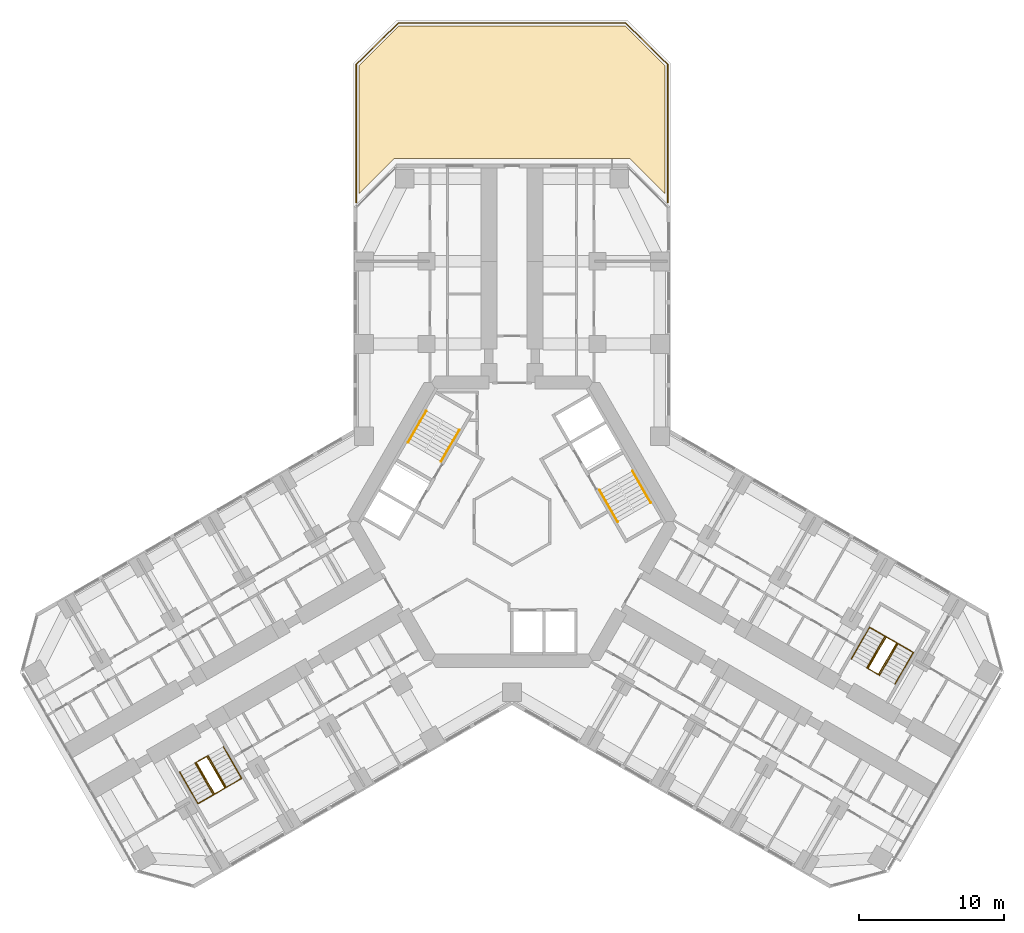
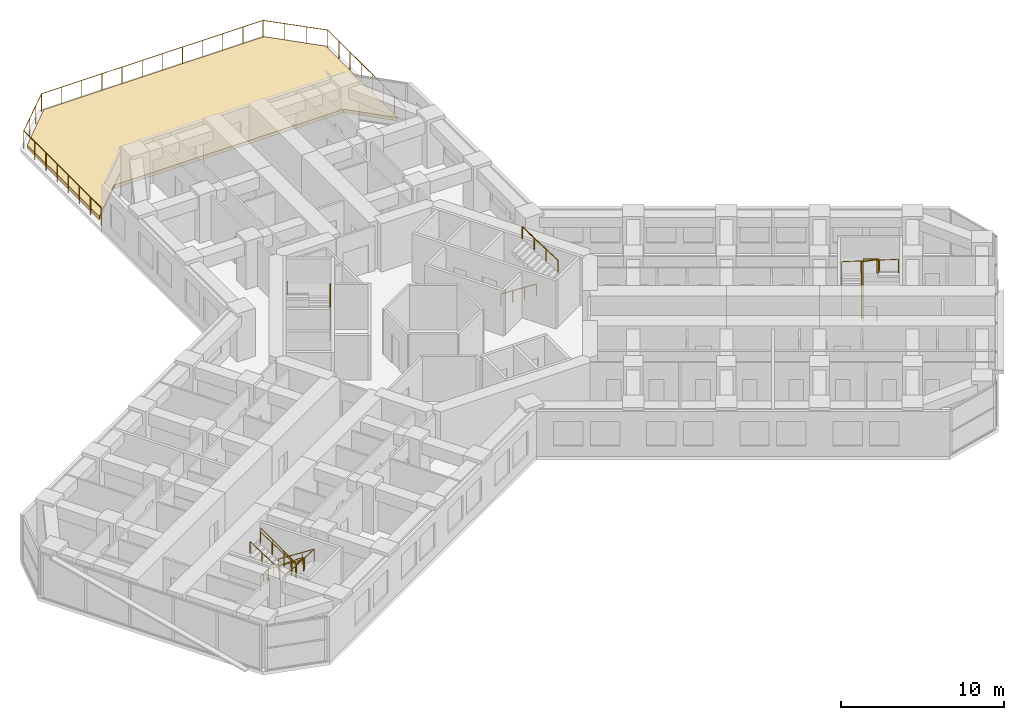
# One storey, part 19 of 19: 11 railings, 1 covering.
"""IFC4 building model written with IfcOpenShell, lengths in metres."""

import ifcopenshell
import ifcopenshell.guid

model = None  # the IFC model being written
_history = None  # IfcOwnerHistory: only IFC2X3 demands one
_inside = {}  # id of a spatial element -> (the spatial element, [elements in it])
_under = {}  # id of a project, library or spatial element -> (it, [spatial elements below it])
_declared = {}  # id of a project -> (the project, [libraries it declares])
_typed = {}  # id of a type object -> (the type object, [elements of that type])
_made_of = {}  # id of a material, layer set ... -> (it, [elements and type objects made of it])


def new_model(schema):
    """Start an empty IFC model of exactly this schema.

    Asked for "IFC4X3", IfcOpenShell would pick the latest addendum, in which some entities
    have other attributes; the version numbers below select the first issue.
    IFC2X3 requires an IfcOwnerHistory on every rooted entity: one is made here for all.
    """
    global model, _history
    if schema == "IFC4X3":
        model = ifcopenshell.file(schema_version=(4, 3, 0, 0))
    else:
        model = ifcopenshell.file(schema=schema)
    _inside.clear()
    _under.clear()
    _declared.clear()
    _typed.clear()
    _made_of.clear()
    _history = None
    if model.schema == "IFC2X3":
        org = make("IfcOrganization", Name="unknown")
        user = make(
            "IfcPersonAndOrganization",
            ThePerson=make("IfcPerson", FamilyName="unknown"),
            TheOrganization=org,
        )
        app = make(
            "IfcApplication",
            ApplicationDeveloper=org,
            Version="unknown",
            ApplicationFullName="unknown",
            ApplicationIdentifier="unknown",
        )
        _history = make(
            "IfcOwnerHistory",
            OwningUser=user,
            OwningApplication=app,
            ChangeAction="ADDED",
            CreationDate=0,
        )
    return model


def make(cls, **values):
    """One entity of the class cls with the attributes given. An attribute that is None is left unset."""
    return model.create_entity(
        cls, **{name: value for name, value in values.items() if value is not None}
    )


def rooted(cls, **values):
    """An entity with a GlobalId (a new one), such as an element, a storey or a relation."""
    return make(cls, GlobalId=ifcopenshell.guid.new(), OwnerHistory=_history, **values)


def si_unit(unit_type, name, prefix=None):
    """IfcSIUnit, for example si_unit("LENGTHUNIT", "METRE", prefix="MILLI")."""
    return make("IfcSIUnit", UnitType=unit_type, Prefix=prefix, Name=name)


def assignment(units):
    """IfcUnitAssignment: the units of a project."""
    return None if units is None else make("IfcUnitAssignment", Units=units)


def point(xyz):
    """IfcCartesianPoint."""
    return None if xyz is None else make("IfcCartesianPoint", Coordinates=xyz)


def direction(xyz):
    """IfcDirection."""
    return None if xyz is None else make("IfcDirection", DirectionRatios=xyz)


def frame(location, z_axis=None, x_axis=None):
    """IfcAxis2Placement3D, a coordinate frame: its origin and axes. An axis left out is left unset."""
    return make(
        "IfcAxis2Placement3D",
        Location=point(location),
        Axis=direction(z_axis),
        RefDirection=direction(x_axis),
    )


def frame_2d(location, x_axis=None):
    """IfcAxis2Placement2D, a coordinate frame in the plane: its origin and x axis."""
    return make(
        "IfcAxis2Placement2D", Location=point(location), RefDirection=direction(x_axis)
    )


def origin():
    """The frame at (0, 0, 0) with its axes left unset."""
    return frame((0.0, 0.0, 0.0))


def origin_2d():
    """The frame at (0, 0) in the plane with its x axis left unset."""
    return frame_2d((0.0, 0.0))


def place(relative_to, where):
    """IfcLocalPlacement: puts the frame where relative to a parent placement (None: the world)."""
    return make(
        "IfcLocalPlacement", PlacementRelTo=relative_to, RelativePlacement=where
    )


def context(
    kind, dimensions, precision=None, world=None, true_north=None, identifier=None
):
    """IfcGeometricRepresentationContext, for example the 3D "Model" context."""
    return make(
        "IfcGeometricRepresentationContext",
        ContextIdentifier=identifier,
        ContextType=kind,
        CoordinateSpaceDimension=dimensions,
        Precision=precision,
        WorldCoordinateSystem=world,
        TrueNorth=true_north,
    )


def subcontext(parent, identifier, kind, view, scale=None):
    """IfcGeometricRepresentationSubContext, for example "Body" below "Model"."""
    return make(
        "IfcGeometricRepresentationSubContext",
        ContextIdentifier=identifier,
        ContextType=kind,
        ParentContext=parent,
        TargetScale=scale,
        TargetView=view,
    )


def project(units=None, contexts=None):
    """IfcProject with its units and contexts."""
    return rooted(
        "IfcProject",
        Name="project",
        RepresentationContexts=contexts,
        UnitsInContext=assignment(units),
    )


def spatial(cls, under=None, at=None, **own):
    """A site, building, storey or space (cls), placed at a placement, below another one or the project."""
    s = rooted(cls, ObjectPlacement=at, **own)
    if under is not None:
        _under.setdefault(under.id(), (under, []))[1].append(s)
    return s


def polyline(points):
    """IfcPolyline through the points."""
    return make("IfcPolyline", Points=[point(p) for p in points])


def profile(cls, at=None, kind="AREA", **sizes):
    """A parametric profile (cls). Its sizes go by their IFC names, for example OverallWidth=200.0."""
    return make(cls, ProfileType=kind, Position=at, **sizes)


def circle(**sizes):
    """IfcCircleProfileDef."""
    return profile("IfcCircleProfileDef", **sizes)


def outline(outer, holes=None, kind="AREA"):
    """IfcArbitraryClosedProfileDef: a profile drawn as a closed curve; with holes, ...WithVoids."""
    if holes is None:
        return make("IfcArbitraryClosedProfileDef", ProfileType=kind, OuterCurve=outer)
    return make(
        "IfcArbitraryProfileDefWithVoids",
        ProfileType=kind,
        OuterCurve=outer,
        InnerCurves=holes,
    )


def extrude(swept, where, along, depth):
    """IfcExtrudedAreaSolid: the profile swept, set in the frame where, extruded along a direction by depth."""
    return make(
        "IfcExtrudedAreaSolid",
        SweptArea=swept,
        Position=where,
        ExtrudedDirection=direction(along),
        Depth=depth,
    )


def shape(context_of_items, identifier, shape_type, items):
    """IfcShapeRepresentation: the items that make up one representation, for example the "Body"."""
    return make(
        "IfcShapeRepresentation",
        ContextOfItems=context_of_items,
        RepresentationIdentifier=identifier,
        RepresentationType=shape_type,
        Items=items,
    )


def material(Name=None, Category=None):
    """IfcMaterial."""
    return make("IfcMaterial", Name=Name, Category=Category)


def layer(
    of_material, thickness, ventilated=None, Name=None, Category=None, Priority=None
):
    """IfcMaterialLayer: one layer of a wall or slab, of a material (None: an air gap)."""
    return make(
        "IfcMaterialLayer",
        Material=of_material,
        LayerThickness=thickness,
        IsVentilated=ventilated,
        Name=Name,
        Category=Category,
        Priority=Priority,
    )


def layer_set(layers, Name=None):
    """IfcMaterialLayerSet."""
    return make("IfcMaterialLayerSet", MaterialLayers=layers, LayerSetName=Name)


def made_of(thing, what):
    """Note that an element or type object is made of a material, layer set ...; save() writes the relation."""
    if what is not None:
        _made_of.setdefault(what.id(), (what, []))[1].append(thing)
    return thing


def type_object(cls, material=None, **own):
    """A type object (cls), such as IfcWallType, which elements share."""
    return made_of(rooted(cls, **own), material)


def element(
    cls,
    number,
    at=None,
    inside=None,
    cuts=None,
    type_object=None,
    material=None,
    context=None,
    identifier="Body",
    shape_type=None,
    held_by="IfcProductDefinitionShape",
    body=None,
    shapes=None,
    **own,
):
    """One element of the class cls, such as IfcWall. Its Tag is "e" and its number.

    at: its placement. inside: the storey or other place that contains it. cuts: it is an
    opening in that element (IfcRelVoidsElement). A single representation is given by context,
    identifier, shape_type and body (its items); several are given by shapes. held_by: the class
    of the entity that holds the representations. save() writes the other relations.
    """
    e = rooted(cls, Tag="e%d" % number, ObjectPlacement=at, **own)
    if body is not None:
        shapes = [shape(context, identifier, shape_type, body)]
    if shapes is not None:
        e.Representation = make(held_by, Representations=shapes)
    if inside is not None:
        _inside.setdefault(inside.id(), (inside, []))[1].append(e)
    if cuts is not None:
        rooted(
            "IfcRelVoidsElement", RelatingBuildingElement=cuts, RelatedOpeningElement=e
        )
    if type_object is not None:
        _typed.setdefault(type_object.id(), (type_object, []))[1].append(e)
    return made_of(e, material)


def aggregate(whole, parts):
    """IfcRelAggregates: a whole, such as a stair, and the parts it consists of."""
    return rooted("IfcRelAggregates", RelatingObject=whole, RelatedObjects=parts)


def save(model, path):
    """Write the relations noted so far, then the file.

    IfcRelAggregates (storeys below a building ...), IfcRelContainedInSpatialStructure (elements
    in a storey), IfcRelDefinesByType, IfcRelAssociatesMaterial and IfcRelDeclares: one each for
    every whole, place, type object, material and project.
    """
    for whole, parts in _under.values():
        aggregate(whole, parts)
    for where, things in _inside.values():
        rooted(
            "IfcRelContainedInSpatialStructure",
            RelatedElements=things,
            RelatingStructure=where,
        )
    for kind, things in _typed.values():
        rooted("IfcRelDefinesByType", RelatedObjects=things, RelatingType=kind)
    for what, things in _made_of.values():
        rooted("IfcRelAssociatesMaterial", RelatedObjects=things, RelatingMaterial=what)
    for by, libraries in _declared.values():
        rooted("IfcRelDeclares", RelatingContext=by, RelatedDefinitions=libraries)
    model.write(path)


model = new_model("IFC4")

# Units and contexts
model_context = context("Model", 3, precision=1e-05, world=origin(), true_north=direction((0.0, 1.0)))
body_context = subcontext(model_context, "Body", "Model", "MODEL_VIEW")
ifc_project = project(units=[si_unit("LENGTHUNIT", "METRE"), si_unit("AREAUNIT", "SQUARE_METRE"), si_unit("VOLUMEUNIT", "CUBIC_METRE"), si_unit("PLANEANGLEUNIT", "RADIAN"), si_unit("MASSUNIT", "GRAM", prefix="KILO")], contexts=[model_context])

# Site, building, storey
site_placement = place(None, origin())
site = spatial("IfcSite", under=ifc_project, at=site_placement, CompositionType="ELEMENT")
building_placement = place(site_placement, origin())
building = spatial("IfcBuilding", under=site, at=building_placement, Name="Kosmar Iwan School Tower", CompositionType="ELEMENT")
storey_placement = place(building_placement, frame((0.0, 0.0, 120.199951171875)))
storey = spatial("IfcBuildingStorey", under=building, at=storey_placement, Name="L29", CompositionType="ELEMENT", Elevation=120.199951171875)

# Covering
ifc_material_1 = material(Name="Insulated roofing membrane")
ifc_layer = layer(ifc_material_1, 0.25)
ifc_layer_set = layer_set([ifc_layer], Name="Roof membrane and insulation")
covering_type = type_object("IfcCoveringType", Name="Roof membrane and insulation", PredefinedType="ROOFING", material=ifc_layer_set)
covering_placement = place(storey_placement, origin())
element("IfcCovering", 1, at=covering_placement, inside=storey, type_object=covering_type, Name="Maintenance roof paving and insulation wing A", PredefinedType="ROOFING", context=body_context, shape_type="SweptSolid", body=[
    extrude(outline(polyline([(-10.550048828125, 22.61572265625), (-8.11572265625, 25.050048828125), (8.11572265625, 25.050048828125), (10.550048828125, 22.61572265625), (10.550048828125, 31.434326171875), (7.784423828125, 34.199951171875), (-7.784423828125, 34.199951171875), (-10.550048828125, 31.434326171875), (-10.550048828125, 22.61572265625)])), origin(), (0.0, 0.0, 1.0), 0.25),
])

# Railings
ifc_material_2 = material(Name="Black steel", Category="steel")
railing_type_1 = type_object("IfcRailingType", Name="Stair handrail 900", PredefinedType="HANDRAIL", material=ifc_material_2)
railing_1_placement = place(storey_placement, frame((-4.89453125, 4.142333984375, 0.179931640625)))
element("IfcRailing", 2, at=railing_1_placement, inside=storey, type_object=railing_type_1, Name="Handrail ST2 flight 1", PredefinedType="HANDRAIL", context=body_context, shape_type="SweptSolid", body=[
    extrude(circle(Radius=0.02392578125, at=origin_2d()), frame((0.0, 0.0, 0.8759765625), z_axis=(0.420584145978, 0.728463801763, 0.540785970299), x_axis=(-0.866022637375, 0.500004791531, 0.0)), (0.0, 0.0, 1.0), 2.995849609375),
    extrude(circle(Radius=0.02099609375, at=origin_2d()), origin(), (0.0, 0.0, 1.0), 0.851806640625),
    extrude(circle(Radius=0.02099609375, at=origin_2d()), frame((0.419921875, 0.7275390625, 0.5400390625)), (0.0, 0.0, 1.0), 0.851806640625),
    extrude(circle(Radius=0.02099609375, at=origin_2d()), frame((0.840087890625, 1.454833984375, 1.080078125)), (0.0, 0.0, 1.0), 0.851806640625),
    extrude(circle(Radius=0.02099609375, at=origin_2d()), frame((1.260009765625, 2.182373046875, 1.6201171875)), (0.0, 0.0, 1.0), 0.851806640625),
])
railing_2_placement = place(storey_placement, frame((-5.912353515625, 7.6396484375, 1.97998046875)))
element("IfcRailing", 3, at=railing_2_placement, inside=storey, type_object=railing_type_1, Name="Handrail ST2 flight 2", PredefinedType="HANDRAIL", context=body_context, shape_type="SweptSolid", body=[
    extrude(circle(Radius=0.02392578125, at=origin_2d()), frame((0.0, 0.0, 0.8759765625), z_axis=(-0.420584145978, -0.728463801763, 0.540785970299), x_axis=(0.866022637375, -0.500004791531, 0.0)), (0.0, 0.0, 1.0), 2.995849609375),
    extrude(circle(Radius=0.02099609375, at=origin_2d()), origin(), (0.0, 0.0, 1.0), 0.851806640625),
    extrude(circle(Radius=0.02099609375, at=origin_2d()), frame((-0.419921875, -0.7275390625, 0.5400390625)), (0.0, 0.0, 1.0), 0.851806640625),
    extrude(circle(Radius=0.02099609375, at=origin_2d()), frame((-0.840087890625, -1.454833984375, 1.080078125)), (0.0, 0.0, 1.0), 0.851806640625),
    extrude(circle(Radius=0.02099609375, at=origin_2d()), frame((-1.260009765625, -2.182373046875, 1.6201171875)), (0.0, 0.0, 1.0), 0.851806640625),
])
railing_3_placement = place(storey_placement, frame((6.03466796875, 2.167724609375, 0.179931640625)))
element("IfcRailing", 4, at=railing_3_placement, inside=storey, type_object=railing_type_1, Name="Handrail ST1 flight 1", PredefinedType="HANDRAIL", context=body_context, shape_type="SweptSolid", body=[
    extrude(circle(Radius=0.02392578125, at=origin_2d()), frame((0.0, 0.0, 0.8759765625), z_axis=(0.420584145978, -0.728463801763, 0.540785970299), x_axis=(0.866022637375, 0.500004791531, 0.0)), (0.0, 0.0, 1.0), 2.995849609375),
    extrude(circle(Radius=0.02099609375, at=origin_2d()), origin(), (0.0, 0.0, 1.0), 0.851806640625),
    extrude(circle(Radius=0.02099609375, at=origin_2d()), frame((0.419921875, -0.7275390625, 0.5400390625)), (0.0, 0.0, 1.0), 0.851806640625),
    extrude(circle(Radius=0.02099609375, at=origin_2d()), frame((0.840087890625, -1.454833984375, 1.080078125)), (0.0, 0.0, 1.0), 0.851806640625),
    extrude(circle(Radius=0.02099609375, at=origin_2d()), frame((1.260009765625, -2.182373046875, 1.6201171875)), (0.0, 0.0, 1.0), 0.851806640625),
])
railing_4_placement = place(storey_placement, frame((9.572265625, 1.30029296875, 1.97998046875)))
element("IfcRailing", 5, at=railing_4_placement, inside=storey, type_object=railing_type_1, Name="Handrail ST1 flight 2", PredefinedType="HANDRAIL", context=body_context, shape_type="SweptSolid", body=[
    extrude(circle(Radius=0.02392578125, at=origin_2d()), frame((0.0, 0.0, 0.8759765625), z_axis=(-0.420584145978, 0.728463801763, 0.540785970299), x_axis=(-0.866022637375, -0.500004791531, 0.0)), (0.0, 0.0, 1.0), 2.995849609375),
    extrude(circle(Radius=0.02099609375, at=origin_2d()), origin(), (0.0, 0.0, 1.0), 0.851806640625),
    extrude(circle(Radius=0.02099609375, at=origin_2d()), frame((-0.419921875, 0.7275390625, 0.5400390625)), (0.0, 0.0, 1.0), 0.851806640625),
    extrude(circle(Radius=0.02099609375, at=origin_2d()), frame((-0.840087890625, 1.454833984375, 1.080078125)), (0.0, 0.0, 1.0), 0.851806640625),
    extrude(circle(Radius=0.02099609375, at=origin_2d()), frame((-1.260009765625, 2.182373046875, 1.6201171875)), (0.0, 0.0, 1.0), 0.851806640625),
])
railing_5_placement = place(storey_placement, frame((-19.9091796875, -15.5361328125, 0.179931640625)))
element("IfcRailing", 6, at=railing_5_placement, inside=storey, type_object=railing_type_1, Name="Handrail stair WS2 L29 wall side", PredefinedType="HANDRAIL", context=body_context, shape_type="SweptSolid", body=[
    extrude(circle(Radius=0.02392578125, at=origin_2d()), frame((0.0, 0.0, 0.8759765625), z_axis=(0.420517065106, -0.728488768407, 0.540804504659), x_axis=(0.866064587494, 0.499932125682, 0.0)), (0.0, 0.0, 1.0), 2.995849609375),
    extrude(circle(Radius=0.02392578125, at=origin_2d()), frame((1.259765625, -2.182373046875, 2.49609375), z_axis=(-0.864864352349, -0.499342858003, 0.051636829851), x_axis=(0.500009906705, -0.86601968407, 0.0)), (0.0, 0.0, 1.0), 3.484619140625),
    extrude(circle(Radius=0.02392578125, at=origin_2d()), frame((-1.75390625, -3.92236328125, 2.67578125), z_axis=(-0.420584145978, 0.728463801763, 0.540785970299), x_axis=(-0.866022637375, -0.500004791531, 0.0)), (0.0, 0.0, 1.0), 2.995849609375),
    extrude(circle(Radius=0.02099609375, at=origin_2d()), origin(), (0.0, 0.0, 1.0), 0.851806640625),
    extrude(circle(Radius=0.02099609375, at=origin_2d()), frame((0.419921875, -0.7275390625, 0.5400390625)), (0.0, 0.0, 1.0), 0.851806640625),
    extrude(circle(Radius=0.02099609375, at=origin_2d()), frame((0.83984375, -1.454833984375, 1.080078125)), (0.0, 0.0, 1.0), 0.851806640625),
    extrude(circle(Radius=0.02099609375, at=origin_2d()), frame((1.259765625, -2.182373046875, 1.6201171875)), (0.0, 0.0, 1.0), 0.851806640625),
    extrude(circle(Radius=0.02099609375, at=origin_2d()), frame((0.255126953125, -2.762451171875, 1.68017578125)), (0.0, 0.0, 1.0), 0.851806640625),
    extrude(circle(Radius=0.02099609375, at=origin_2d()), frame((-0.749267578125, -3.34228515625, 1.739990234375)), (0.0, 0.0, 1.0), 0.851806640625),
    extrude(circle(Radius=0.02099609375, at=origin_2d()), frame((-1.75390625, -3.92236328125, 1.800048828125)), (0.0, 0.0, 1.0), 0.851806640625),
    extrude(circle(Radius=0.02099609375, at=origin_2d()), frame((-2.173828125, -3.19482421875, 2.340087890625)), (0.0, 0.0, 1.0), 0.851806640625),
    extrude(circle(Radius=0.02099609375, at=origin_2d()), frame((-2.593994140625, -2.467529296875, 2.880126953125)), (0.0, 0.0, 1.0), 0.851806640625),
    extrude(circle(Radius=0.02099609375, at=origin_2d()), frame((-3.013916015625, -1.739990234375, 3.420166015625)), (0.0, 0.0, 1.0), 0.851806640625),
])
railing_6_placement = place(storey_placement, frame((-20.974609375, -16.151123046875, 0.179931640625)))
element("IfcRailing", 7, at=railing_6_placement, inside=storey, type_object=railing_type_1, Name="Handrail stair WS2 L29 well side", PredefinedType="HANDRAIL", context=body_context, shape_type="SweptSolid", body=[
    extrude(circle(Radius=0.02392578125, at=origin_2d()), frame((0.0, 0.0, 0.8759765625), z_axis=(0.420584145978, -0.728463801763, 0.540785970299), x_axis=(0.866022637375, 0.500004791531, 0.0)), (0.0, 0.0, 1.0), 2.995849609375),
    extrude(circle(Radius=0.02392578125, at=origin_2d()), frame((1.260009765625, -2.182373046875, 2.49609375), z_axis=(-0.852841519511, -0.492422867401, 0.173726976197), x_axis=(0.500026340207, -0.866010195725, 0.0)), (0.0, 0.0, 1.0), 1.03564453125),
    extrude(circle(Radius=0.02392578125, at=origin_2d()), frame((0.376708984375, -2.6923828125, 2.67578125), z_axis=(-0.420584145978, 0.728463801763, 0.540785970299), x_axis=(-0.866022637375, -0.500004791531, 0.0)), (0.0, 0.0, 1.0), 2.995849609375),
    extrude(circle(Radius=0.02099609375, at=origin_2d()), origin(), (0.0, 0.0, 1.0), 0.851806640625),
    extrude(circle(Radius=0.02099609375, at=origin_2d()), frame((0.419921875, -0.7275390625, 0.5400390625)), (0.0, 0.0, 1.0), 0.851806640625),
    extrude(circle(Radius=0.02099609375, at=origin_2d()), frame((0.840087890625, -1.454833984375, 1.080078125)), (0.0, 0.0, 1.0), 0.851806640625),
    extrude(circle(Radius=0.02099609375, at=origin_2d()), frame((1.260009765625, -2.182373046875, 1.6201171875)), (0.0, 0.0, 1.0), 0.851806640625),
    extrude(circle(Radius=0.02099609375, at=origin_2d()), frame((0.376708984375, -2.6923828125, 1.800048828125)), (0.0, 0.0, 1.0), 0.851806640625),
    extrude(circle(Radius=0.02099609375, at=origin_2d()), frame((-0.043212890625, -1.96484375, 2.340087890625)), (0.0, 0.0, 1.0), 0.851806640625),
    extrude(circle(Radius=0.02099609375, at=origin_2d()), frame((-0.46337890625, -1.237548828125, 2.880126953125)), (0.0, 0.0, 1.0), 0.851806640625),
    extrude(circle(Radius=0.02099609375, at=origin_2d()), frame((-0.88330078125, -0.510009765625, 3.420166015625)), (0.0, 0.0, 1.0), 0.851806640625),
])
railing_7_placement = place(storey_placement, frame((23.4091796875, -9.473876953125, 0.179931640625)))
element("IfcRailing", 8, at=railing_7_placement, inside=storey, type_object=railing_type_1, Name="Handrail stair WS3 L29 wall side", PredefinedType="HANDRAIL", context=body_context, shape_type="SweptSolid", body=[
    extrude(circle(Radius=0.02392578125, at=origin_2d()), frame((0.0, 0.0, 0.8759765625), z_axis=(0.420584145978, 0.728463801763, 0.540785970299), x_axis=(-0.866022637375, 0.500004791531, 0.0)), (0.0, 0.0, 1.0), 2.995849609375),
    extrude(circle(Radius=0.02392578125, at=origin_2d()), frame((1.260009765625, 2.182373046875, 2.49609375), z_axis=(0.864882007433, -0.499312601618, 0.051633701051), x_axis=(0.499979528911, 0.866037222451, 0.0)), (0.0, 0.0, 1.0), 3.48486328125),
    extrude(circle(Radius=0.02392578125, at=origin_2d()), frame((4.27392578125, 0.4423828125, 2.67578125), z_axis=(-0.420584145978, -0.728463801763, 0.540785970299), x_axis=(0.866022637375, -0.500004791531, 0.0)), (0.0, 0.0, 1.0), 2.995849609375),
    extrude(circle(Radius=0.02099609375, at=origin_2d()), origin(), (0.0, 0.0, 1.0), 0.851806640625),
    extrude(circle(Radius=0.02099609375, at=origin_2d()), frame((0.419921875, 0.7275390625, 0.5400390625)), (0.0, 0.0, 1.0), 0.851806640625),
    extrude(circle(Radius=0.02099609375, at=origin_2d()), frame((0.840087890625, 1.454833984375, 1.080078125)), (0.0, 0.0, 1.0), 0.851806640625),
    extrude(circle(Radius=0.02099609375, at=origin_2d()), frame((1.260009765625, 2.182373046875, 1.6201171875)), (0.0, 0.0, 1.0), 0.851806640625),
    extrude(circle(Radius=0.02099609375, at=origin_2d()), frame((2.2646484375, 1.602294921875, 1.68017578125)), (0.0, 0.0, 1.0), 0.851806640625),
    extrude(circle(Radius=0.02099609375, at=origin_2d()), frame((3.269287109375, 1.0224609375, 1.739990234375)), (0.0, 0.0, 1.0), 0.851806640625),
    extrude(circle(Radius=0.02099609375, at=origin_2d()), frame((4.27392578125, 0.4423828125, 1.800048828125)), (0.0, 0.0, 1.0), 0.851806640625),
    extrude(circle(Radius=0.02099609375, at=origin_2d()), frame((3.85400390625, -0.28515625, 2.340087890625)), (0.0, 0.0, 1.0), 0.851806640625),
    extrude(circle(Radius=0.02099609375, at=origin_2d()), frame((3.433837890625, -1.012451171875, 2.880126953125)), (0.0, 0.0, 1.0), 0.851806640625),
    extrude(circle(Radius=0.02099609375, at=origin_2d()), frame((3.013916015625, -1.739990234375, 3.420166015625)), (0.0, 0.0, 1.0), 0.851806640625),
])
railing_8_placement = place(storey_placement, frame((24.474609375, -10.0888671875, 0.179931640625)))
element("IfcRailing", 9, at=railing_8_placement, inside=storey, type_object=railing_type_1, Name="Handrail stair WS3 L29 well side", PredefinedType="HANDRAIL", context=body_context, shape_type="SweptSolid", body=[
    extrude(circle(Radius=0.02392578125, at=origin_2d()), frame((0.0, 0.0, 0.8759765625), z_axis=(0.420584145978, 0.728463801763, 0.540785970299), x_axis=(-0.866022637375, 0.500004791531, 0.0)), (0.0, 0.0, 1.0), 2.995849609375),
    extrude(circle(Radius=0.02392578125, at=origin_2d()), frame((1.260009765625, 2.182373046875, 2.49609375), z_axis=(0.852841519511, -0.492422867401, 0.173726976197), x_axis=(0.500026340207, 0.866010195725, 0.0)), (0.0, 0.0, 1.0), 1.03564453125),
    extrude(circle(Radius=0.02392578125, at=origin_2d()), frame((2.143310546875, 1.67236328125, 2.67578125), z_axis=(-0.420584145978, -0.728463801763, 0.540785970299), x_axis=(0.866022637375, -0.500004791531, 0.0)), (0.0, 0.0, 1.0), 2.995849609375),
    extrude(circle(Radius=0.02099609375, at=origin_2d()), origin(), (0.0, 0.0, 1.0), 0.851806640625),
    extrude(circle(Radius=0.02099609375, at=origin_2d()), frame((0.419921875, 0.7275390625, 0.5400390625)), (0.0, 0.0, 1.0), 0.851806640625),
    extrude(circle(Radius=0.02099609375, at=origin_2d()), frame((0.840087890625, 1.454833984375, 1.080078125)), (0.0, 0.0, 1.0), 0.851806640625),
    extrude(circle(Radius=0.02099609375, at=origin_2d()), frame((1.260009765625, 2.182373046875, 1.6201171875)), (0.0, 0.0, 1.0), 0.851806640625),
    extrude(circle(Radius=0.02099609375, at=origin_2d()), frame((2.143310546875, 1.67236328125, 1.800048828125)), (0.0, 0.0, 1.0), 0.851806640625),
    extrude(circle(Radius=0.02099609375, at=origin_2d()), frame((1.723388671875, 0.94482421875, 2.340087890625)), (0.0, 0.0, 1.0), 0.851806640625),
    extrude(circle(Radius=0.02099609375, at=origin_2d()), frame((1.30322265625, 0.217529296875, 2.880126953125)), (0.0, 0.0, 1.0), 0.851806640625),
    extrude(circle(Radius=0.02099609375, at=origin_2d()), frame((0.88330078125, -0.510009765625, 3.420166015625)), (0.0, 0.0, 1.0), 0.851806640625),
])
ifc_material_3 = material(Name="Black steel", Category="steel")
railing_type_2 = type_object("IfcRailingType", Name="Stair well guard 1100", PredefinedType="GUARDRAIL", material=ifc_material_3)
railing_9_placement = place(storey_placement, frame((-21.780029296875, -16.6162109375, 0.0)))
element("IfcRailing", 10, at=railing_9_placement, inside=storey, type_object=railing_type_2, Name="Stair WS2 L29 well guard", PredefinedType="GUARDRAIL", context=body_context, shape_type="SweptSolid", body=[
    extrude(circle(Radius=0.02392578125, at=origin_2d()), frame((0.0, 0.0, 1.076171875), z_axis=(0.865962960534, 0.500108139288, 0.0), x_axis=(-0.500108139288, 0.865962960534, 0.0)), (0.0, 0.0, 1.0), 0.840087890625),
    extrude(circle(Radius=0.02392578125, at=origin_2d()), frame((0.7275390625, 0.420166015625, 1.076171875), z_axis=(0.40686665399, -0.704704712268, 0.58124933925), x_axis=(0.866022637375, 0.500004791531, 0.0)), (0.0, 0.0, 1.0), 3.096923828125),
    extrude(circle(Radius=0.02392578125, at=origin_2d()), frame((1.987548828125, -1.76220703125, 2.8759765625), z_axis=(-0.865962960534, -0.500108139288, 0.0), x_axis=(0.500108139288, -0.865962960534, 0.0)), (0.0, 0.0, 1.0), 0.840087890625),
    extrude(circle(Radius=0.02392578125, at=origin_2d()), frame((1.260009765625, -2.182373046875, 2.8759765625), z_axis=(-0.40686665399, 0.704704712268, 0.58124933925), x_axis=(-0.866022637375, -0.500004791531, 0.0)), (0.0, 0.0, 1.0), 3.096923828125),
    extrude(circle(Radius=0.02099609375, at=origin_2d()), origin(), (0.0, 0.0, 1.0), 1.052001953125),
    extrude(circle(Radius=0.02099609375, at=origin_2d()), frame((0.7275390625, 0.420166015625, 0.0)), (0.0, 0.0, 1.0), 1.052001953125),
    extrude(circle(Radius=0.02099609375, at=origin_2d()), frame((1.1474609375, -0.307373046875, 0.60009765625)), (0.0, 0.0, 1.0), 1.052001953125),
    extrude(circle(Radius=0.02099609375, at=origin_2d()), frame((1.567626953125, -1.03466796875, 1.199951171875)), (0.0, 0.0, 1.0), 1.052001953125),
    extrude(circle(Radius=0.02099609375, at=origin_2d()), frame((1.987548828125, -1.76220703125, 1.800048828125)), (0.0, 0.0, 1.0), 1.052001953125),
    extrude(circle(Radius=0.02099609375, at=origin_2d()), frame((1.260009765625, -2.182373046875, 1.800048828125)), (0.0, 0.0, 1.0), 1.052001953125),
    extrude(circle(Radius=0.02099609375, at=origin_2d()), frame((0.840087890625, -1.454833984375, 2.400146484375)), (0.0, 0.0, 1.0), 1.052001953125),
    extrude(circle(Radius=0.02099609375, at=origin_2d()), frame((0.419921875, -0.7275390625, 3.0)), (0.0, 0.0, 1.0), 1.052001953125),
    extrude(circle(Radius=0.02099609375, at=origin_2d()), frame((0.0, 0.0, 3.60009765625)), (0.0, 0.0, 1.0), 1.052001953125),
])
railing_10_placement = place(storey_placement, frame((25.280029296875, -10.553955078125, 0.0)))
element("IfcRailing", 11, at=railing_10_placement, inside=storey, type_object=railing_type_2, Name="Stair WS3 L29 well guard", PredefinedType="GUARDRAIL", context=body_context, shape_type="SweptSolid", body=[
    extrude(circle(Radius=0.02392578125, at=origin_2d()), frame((0.0, 0.0, 1.076171875), z_axis=(-0.865962960534, 0.500108139288, 0.0), x_axis=(-0.500108139288, -0.865962960534, 0.0)), (0.0, 0.0, 1.0), 0.840087890625),
    extrude(circle(Radius=0.02392578125, at=origin_2d()), frame((-0.7275390625, 0.420166015625, 1.076171875), z_axis=(0.40686665399, 0.704704712268, 0.58124933925), x_axis=(-0.866022637375, 0.500004791531, 0.0)), (0.0, 0.0, 1.0), 3.096923828125),
    extrude(circle(Radius=0.02392578125, at=origin_2d()), frame((0.532470703125, 2.6025390625, 2.8759765625), z_axis=(0.865890253765, -0.500234013672, 0.0), x_axis=(0.500234013672, 0.865890253765, 0.0)), (0.0, 0.0, 1.0), 0.83984375),
    extrude(circle(Radius=0.02392578125, at=origin_2d()), frame((1.259765625, 2.182373046875, 2.8759765625), z_axis=(-0.406800866334, -0.70472731476, 0.58126798207), x_axis=(0.866064587494, -0.499932125682, 0.0)), (0.0, 0.0, 1.0), 3.0966796875),
    extrude(circle(Radius=0.02099609375, at=origin_2d()), origin(), (0.0, 0.0, 1.0), 1.052001953125),
    extrude(circle(Radius=0.02099609375, at=origin_2d()), frame((-0.7275390625, 0.420166015625, 0.0)), (0.0, 0.0, 1.0), 1.052001953125),
    extrude(circle(Radius=0.02099609375, at=origin_2d()), frame((-0.3076171875, 1.147705078125, 0.60009765625)), (0.0, 0.0, 1.0), 1.052001953125),
    extrude(circle(Radius=0.02099609375, at=origin_2d()), frame((0.112548828125, 1.875, 1.199951171875)), (0.0, 0.0, 1.0), 1.052001953125),
    extrude(circle(Radius=0.02099609375, at=origin_2d()), frame((0.532470703125, 2.6025390625, 1.800048828125)), (0.0, 0.0, 1.0), 1.052001953125),
    extrude(circle(Radius=0.02099609375, at=origin_2d()), frame((1.259765625, 2.182373046875, 1.800048828125)), (0.0, 0.0, 1.0), 1.052001953125),
    extrude(circle(Radius=0.02099609375, at=origin_2d()), frame((0.83984375, 1.454833984375, 2.400146484375)), (0.0, 0.0, 1.0), 1.052001953125),
    extrude(circle(Radius=0.02099609375, at=origin_2d()), frame((0.419921875, 0.7275390625, 3.0)), (0.0, 0.0, 1.0), 1.052001953125),
    extrude(circle(Radius=0.02099609375, at=origin_2d()), frame((0.0, 0.0, 3.60009765625)), (0.0, 0.0, 1.0), 1.052001953125),
])
ifc_material_4 = material(Name="Black steel and glass", Category="steel")
railing_type_3 = type_object("IfcRailingType", Name="Terrace guard 1350", PredefinedType="GUARDRAIL", material=ifc_material_4)
railing_11_placement = place(storey_placement, frame((-10.75, 22.0, 0.0)))
element("IfcRailing", 12, at=railing_11_placement, inside=storey, type_object=railing_type_3, Name="Roof edge guard wing A", PredefinedType="GUARDRAIL", context=body_context, shape_type="SweptSolid", body=[
    extrude(circle(Radius=0.02392578125, at=origin_2d()), frame((0.0, 0.0, 1.326171875), z_axis=(0.0, 1.0, 0.0), x_axis=(-1.0, 0.0, 0.0)), (0.0, 0.0, 1.0), 9.51708984375),
    extrude(circle(Radius=0.02392578125, at=origin_2d()), frame((0.0, 9.51708984375, 1.326171875), z_axis=(0.711290997944, 0.702897657019, 0.0), x_axis=(-0.702897657019, 0.711290997944, 0.0)), (0.0, 0.0, 1.0), 4.101318359375),
    extrude(circle(Radius=0.02392578125, at=origin_2d()), frame((2.917236328125, 12.39990234375, 1.326171875), z_axis=(1.0, 0.0, 0.0), x_axis=(0.0, 1.0, 0.0)), (0.0, 0.0, 1.0), 15.66552734375),
    extrude(circle(Radius=0.02392578125, at=origin_2d()), frame((18.582763671875, 12.39990234375, 1.326171875), z_axis=(0.711290997944, -0.702897657019, 0.0), x_axis=(0.702897657019, 0.711290997944, 0.0)), (0.0, 0.0, 1.0), 4.101318359375),
    extrude(circle(Radius=0.02392578125, at=origin_2d()), frame((21.5, 9.51708984375, 1.326171875), z_axis=(0.0, -1.0, 0.0), x_axis=(1.0, 0.0, 0.0)), (0.0, 0.0, 1.0), 9.51708984375),
    extrude(circle(Radius=0.02099609375, at=origin_2d()), origin(), (0.0, 0.0, 1.0), 1.302001953125),
    extrude(circle(Radius=0.02099609375, at=origin_2d()), frame((0.0, 1.359619140625, 0.0)), (0.0, 0.0, 1.0), 1.302001953125),
    extrude(circle(Radius=0.02099609375, at=origin_2d()), frame((0.0, 2.71923828125, 0.0)), (0.0, 0.0, 1.0), 1.302001953125),
    extrude(circle(Radius=0.02099609375, at=origin_2d()), frame((0.0, 4.078857421875, 0.0)), (0.0, 0.0, 1.0), 1.302001953125),
    extrude(circle(Radius=0.02099609375, at=origin_2d()), frame((0.0, 5.438232421875, 0.0)), (0.0, 0.0, 1.0), 1.302001953125),
    extrude(circle(Radius=0.02099609375, at=origin_2d()), frame((0.0, 6.7978515625, 0.0)), (0.0, 0.0, 1.0), 1.302001953125),
    extrude(circle(Radius=0.02099609375, at=origin_2d()), frame((0.0, 8.157470703125, 0.0)), (0.0, 0.0, 1.0), 1.302001953125),
    extrude(circle(Radius=0.02099609375, at=origin_2d()), frame((0.0, 9.51708984375, 0.0)), (0.0, 0.0, 1.0), 1.302001953125),
    extrude(circle(Radius=0.02099609375, at=origin_2d()), frame((0.972412109375, 10.47802734375, 0.0)), (0.0, 0.0, 1.0), 1.302001953125),
    extrude(circle(Radius=0.02099609375, at=origin_2d()), frame((1.94482421875, 11.43896484375, 0.0)), (0.0, 0.0, 1.0), 1.302001953125),
    extrude(circle(Radius=0.02099609375, at=origin_2d()), frame((2.917236328125, 12.39990234375, 0.0)), (0.0, 0.0, 1.0), 1.302001953125),
    extrude(circle(Radius=0.02099609375, at=origin_2d()), frame((4.34130859375, 12.39990234375, 0.0)), (0.0, 0.0, 1.0), 1.302001953125),
    extrude(circle(Radius=0.02099609375, at=origin_2d()), frame((5.765625, 12.39990234375, 0.0)), (0.0, 0.0, 1.0), 1.302001953125),
    extrude(circle(Radius=0.02099609375, at=origin_2d()), frame((7.189697265625, 12.39990234375, 0.0)), (0.0, 0.0, 1.0), 1.302001953125),
    extrude(circle(Radius=0.02099609375, at=origin_2d()), frame((8.61376953125, 12.39990234375, 0.0)), (0.0, 0.0, 1.0), 1.302001953125),
    extrude(circle(Radius=0.02099609375, at=origin_2d()), frame((10.037841796875, 12.39990234375, 0.0)), (0.0, 0.0, 1.0), 1.302001953125),
    extrude(circle(Radius=0.02099609375, at=origin_2d()), frame((11.462158203125, 12.39990234375, 0.0)), (0.0, 0.0, 1.0), 1.302001953125),
    extrude(circle(Radius=0.02099609375, at=origin_2d()), frame((12.88623046875, 12.39990234375, 0.0)), (0.0, 0.0, 1.0), 1.302001953125),
    extrude(circle(Radius=0.02099609375, at=origin_2d()), frame((14.310302734375, 12.39990234375, 0.0)), (0.0, 0.0, 1.0), 1.302001953125),
    extrude(circle(Radius=0.02099609375, at=origin_2d()), frame((15.734375, 12.39990234375, 0.0)), (0.0, 0.0, 1.0), 1.302001953125),
    extrude(circle(Radius=0.02099609375, at=origin_2d()), frame((17.15869140625, 12.39990234375, 0.0)), (0.0, 0.0, 1.0), 1.302001953125),
    extrude(circle(Radius=0.02099609375, at=origin_2d()), frame((18.582763671875, 12.39990234375, 0.0)), (0.0, 0.0, 1.0), 1.302001953125),
    extrude(circle(Radius=0.02099609375, at=origin_2d()), frame((19.55517578125, 11.43896484375, 0.0)), (0.0, 0.0, 1.0), 1.302001953125),
    extrude(circle(Radius=0.02099609375, at=origin_2d()), frame((20.527587890625, 10.47802734375, 0.0)), (0.0, 0.0, 1.0), 1.302001953125),
    extrude(circle(Radius=0.02099609375, at=origin_2d()), frame((21.5, 9.51708984375, 0.0)), (0.0, 0.0, 1.0), 1.302001953125),
    extrude(circle(Radius=0.02099609375, at=origin_2d()), frame((21.5, 8.157470703125, 0.0)), (0.0, 0.0, 1.0), 1.302001953125),
    extrude(circle(Radius=0.02099609375, at=origin_2d()), frame((21.5, 6.7978515625, 0.0)), (0.0, 0.0, 1.0), 1.302001953125),
    extrude(circle(Radius=0.02099609375, at=origin_2d()), frame((21.5, 5.438232421875, 0.0)), (0.0, 0.0, 1.0), 1.302001953125),
    extrude(circle(Radius=0.02099609375, at=origin_2d()), frame((21.5, 4.078857421875, 0.0)), (0.0, 0.0, 1.0), 1.302001953125),
    extrude(circle(Radius=0.02099609375, at=origin_2d()), frame((21.5, 2.71923828125, 0.0)), (0.0, 0.0, 1.0), 1.302001953125),
    extrude(circle(Radius=0.02099609375, at=origin_2d()), frame((21.5, 1.359619140625, 0.0)), (0.0, 0.0, 1.0), 1.302001953125),
    extrude(circle(Radius=0.02099609375, at=origin_2d()), frame((21.5, 0.0, 0.0)), (0.0, 0.0, 1.0), 1.302001953125),
])

save(model, "model.ifc")
